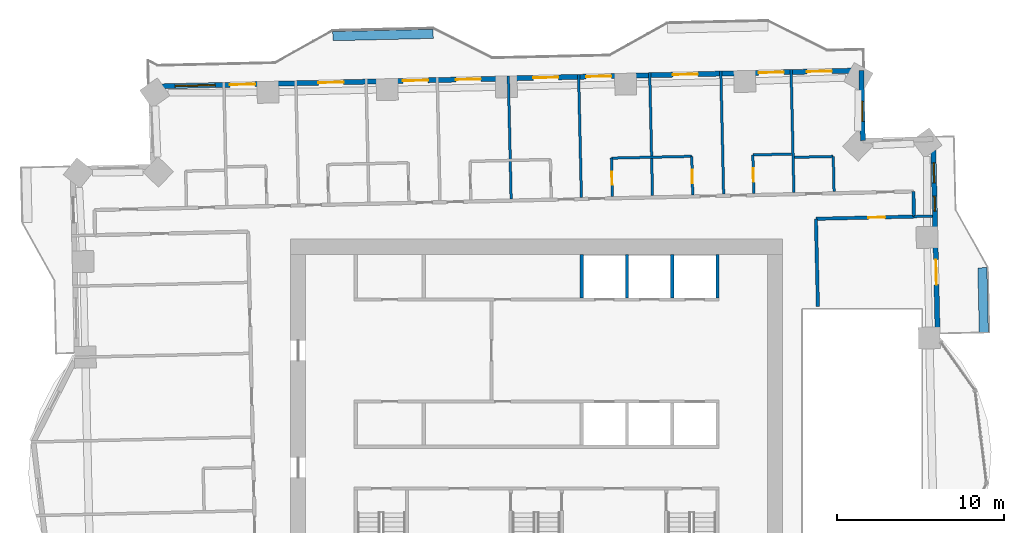
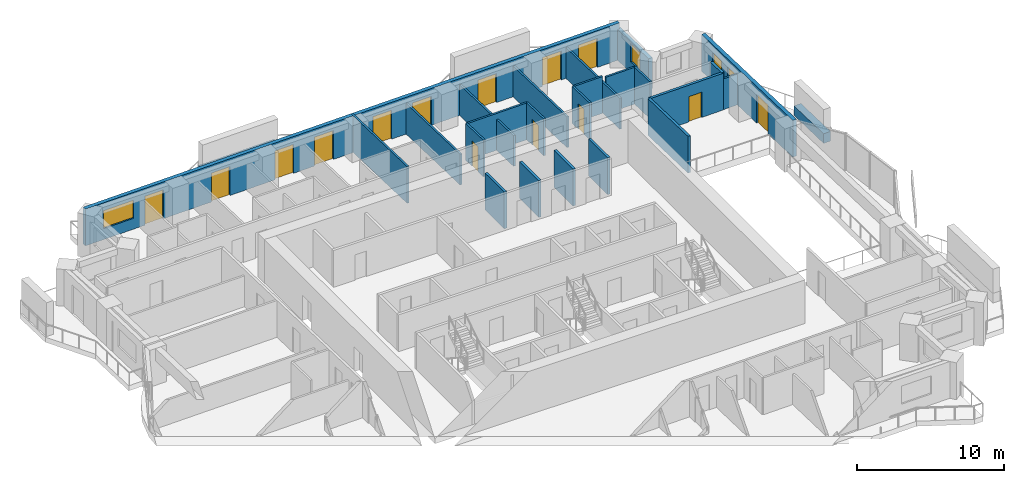
# One storey, part 11 of 16: 25 walls, 14 doors, 4 windows, 18 openings.
"""IFC4 building model written with IfcOpenShell, lengths in metres."""

from ifc_helpers import new_model, si_unit, direction, frame, frame_2d, origin, place, context, subcontext, project, spatial, rectangle, extrude, material, layer, layer_set, type_object, element, fill, save


model = new_model("IFC4")

# Units and contexts
model_context = context("Model", 3, precision=1e-05, world=origin(), true_north=direction((0.0, 1.0)))
body_context = subcontext(model_context, "Body", "Model", "MODEL_VIEW")
ifc_project = project(units=[si_unit("LENGTHUNIT", "METRE"), si_unit("AREAUNIT", "SQUARE_METRE"), si_unit("VOLUMEUNIT", "CUBIC_METRE"), si_unit("PLANEANGLEUNIT", "RADIAN"), si_unit("MASSUNIT", "GRAM", prefix="KILO")], contexts=[model_context])

# Site, building, storey
site_placement = place(None, origin())
site = spatial("IfcSite", under=ifc_project, at=site_placement, CompositionType="ELEMENT")
building_placement = place(site_placement, origin())
building = spatial("IfcBuilding", under=site, at=building_placement, Name="Mangrove Gate Tower", CompositionType="ELEMENT")
storey_placement = place(building_placement, frame((0.0, 0.0, 144.5)))
storey = spatial("IfcBuildingStorey", under=building, at=storey_placement, Name="L36", CompositionType="ELEMENT", Elevation=144.5)

# Walls
ifc_material_1 = material(Name="Concrete C70/85", Category="concrete")
ifc_layer_1 = layer(ifc_material_1, 0.199951171875)
ifc_layer_set_1 = layer_set([ifc_layer_1], Name="Core shaft wall 200 C70/85")
wall_type_1 = type_object("IfcWallType", Name="Core shaft wall 200 C70/85", PredefinedType="SHEAR", material=ifc_layer_set_1)
for number, where, z_axis, x_axis, name in (
    (1, (2.699951171875, 8.199951171875, 0.0), (0.0, 0.0, 1.0), (0.0, 1.0, 0.0), "WALL-L36-CORE-27"),
    (2, (5.39990234375, 8.199951171875, 0.0), (0.0, 0.0, 1.0), (0.0, 1.0, 0.0), "WALL-L36-CORE-28"),
    (3, (8.10009765625, 8.199951171875, 0.0), (0.0, 0.0, 1.0), (0.0, 1.0, 0.0), "WALL-L36-CORE-29"),
    (4, (10.800048828125, 8.199951171875, 0.0), (0.0, 0.0, 1.0), (0.0, 1.0, 0.0), "WALL-L36-CORE-30"),
):
    element("IfcWall", number, at=place(storey_placement, frame(where, z_axis=z_axis, x_axis=x_axis)), inside=storey, type_object=wall_type_1, Name=name, PredefinedType="SHEAR", context=body_context, shape_type="SweptSolid", body=[
        extrude(rectangle(XDim=2.60009765625, YDim=0.199951171875, at=frame_2d((1.300048828125, 0.0))), origin(), (0.0, 0.0, 1.0), 3.050048828125),
    ])
ifc_material_2 = material(Name="Gypsum board on steel stud, EI 60", Category="steel")
ifc_layer_2 = layer(ifc_material_2, 0.199951171875)
ifc_layer_set_2 = layer_set([ifc_layer_2], Name="Corridor wall EI 60")
wall_type_2 = type_object("IfcWallType", Name="Corridor wall EI 60", PredefinedType="PARTITIONING", material=ifc_layer_set_2)
wall_1_placement = place(storey_placement, frame((16.802978515625, 7.675048828125, 0.0), z_axis=(0.0, 0.0, 1.0), x_axis=(-0.022667483124, 0.999743059595, 0.0)))
element("IfcWall", 5, at=wall_1_placement, inside=storey, type_object=wall_type_2, Name="WALL-L36-047", PredefinedType="PARTITIONING", context=body_context, shape_type="SweptSolid", body=[
    extrude(rectangle(XDim=5.245361328125, YDim=0.199951171875, at=frame_2d((2.62255859375, 0.0))), origin(), (0.0, 0.0, 1.0), 3.050048828125),
])

# Wall, opening, door
wall_2_placement = place(storey_placement, frame((16.678955078125, 12.91796875, 0.0), z_axis=(0.0, 0.0, 1.0), x_axis=(0.999739057042, 0.022843332181, 0.0)))
wall_2 = element("IfcWall", 6, at=wall_2_placement, inside=storey, type_object=wall_type_2, Name="WALL-L36-052", PredefinedType="PARTITIONING", context=body_context, shape_type="SweptSolid", body=[
    extrude(rectangle(XDim=5.867431640625, YDim=0.199951171875, at=frame_2d((2.93359375, 0.0))), origin(), (0.0, 0.0, 1.0), 3.050048828125),
])
opening_1_placement = place(wall_2_placement, frame((3.134033203125, 0.0, 0.0)))
opening_1 = element("IfcOpeningElement", 7, at=opening_1_placement, cuts=wall_2, Name="Opening AD", PredefinedType="OPENING", context=body_context, shape_type="SweptSolid", body=[
    extrude(rectangle(XDim=1.0, YDim=2.10009765625, at=frame_2d((0.5, 1.050048828125))), frame((0.0, 0.10986328125, 0.0), z_axis=(0.0, -1.0, 0.0), x_axis=(1.0, 0.0, 0.0)), (0.0, 0.0, 1.0), 0.219970703125),
])
ifc_material_3 = material(Name="Timber door leaf", Category="wood")
door_type_1 = type_object("IfcDoorType", Name="Amenity door 1000", OperationType="SINGLE_SWING_LEFT", PredefinedType="DOOR", material=ifc_material_3)
door_1_placement = place(opening_1_placement, origin())
door_1 = element("IfcDoor", 8, at=door_1_placement, inside=storey, type_object=door_type_1, Name="DOOR-L36-GAM-c3b", OperationType="SINGLE_SWING_LEFT", OverallHeight=2.10009765625, OverallWidth=1.0, PredefinedType="DOOR", context=body_context, shape_type="SweptSolid", body=[
    extrude(rectangle(XDim=1.0, YDim=2.10009765625, at=frame_2d((0.5, 1.050048828125))), frame((0.0, 0.02490234375, 0.0), z_axis=(0.0, -1.0, 0.0), x_axis=(1.0, 0.0, 0.0)), (0.0, 0.0, 1.0), 0.050048828125),
])
fill(opening_1, door_1)

# Wall
wall_3_placement = place(storey_placement, frame((22.54296875, 13.052001953125, 0.0), z_axis=(0.0, 0.0, 1.0), x_axis=(-0.022632637625, 0.99974384905, 0.0)))
element("IfcWall", 9, at=wall_3_placement, inside=storey, type_object=wall_type_2, Name="WALL-L36-053", PredefinedType="PARTITIONING", context=body_context, shape_type="SweptSolid", body=[
    extrude(rectangle(XDim=1.49951171875, YDim=0.199951171875, at=frame_2d((0.749755859375, 0.0))), origin(), (0.0, 0.0, 1.0), 3.050048828125),
])

# Wall, openings, door, windows
ifc_material_4 = material(Name="Limestone", Category="masonry")
ifc_layer_3 = layer(ifc_material_4, 0.0400390625, Name="Limestone cladding")
ifc_material_5 = material(Name="Ventilated air gap")
ifc_layer_4 = layer(ifc_material_5, 0.0400390625, Name="Ventilated cavity")
ifc_material_6 = material(Name="Mineral wool insulation")
ifc_layer_5 = layer(ifc_material_6, 0.06005859375, Name="Insulation")
ifc_material_7 = material(Name="Breather membrane")
ifc_layer_6 = layer(ifc_material_7, 0.001953125, Name="Breather membrane")
ifc_material_8 = material(Name="Concrete C20/25 blockwork", Category="masonry")
ifc_layer_7 = layer(ifc_material_8, 0.14990234375, Name="Blockwork backing wall")
ifc_material_9 = material(Name="Gypsum plaster")
ifc_layer_8 = layer(ifc_material_9, 0.008056640625, Name="Internal plaster")
ifc_layer_set_3 = layer_set([ifc_layer_3, ifc_layer_4, ifc_layer_5, ifc_layer_6, ifc_layer_7, ifc_layer_8], Name="External wall 300 limestone cladding")
wall_type_3 = type_object("IfcWallType", Name="External wall 300 limestone cladding", PredefinedType="SOLIDWALL", material=ifc_layer_set_3)
wall_4_placement = place(storey_placement, frame((23.9609375, 5.751953125, 0.0), z_axis=(0.0, 0.0, 1.0), x_axis=(-0.022715362207, 0.999741972871, 0.0)))
wall_4 = element("IfcWall", 10, at=wall_4_placement, inside=storey, type_object=wall_type_3, Name="WALL-L36-E2", PredefinedType="SOLIDWALL", context=body_context, shape_type="SweptSolid", body=[
    extrude(rectangle(XDim=11.93017578125, YDim=0.300048828125, at=frame_2d((5.965087890625, 0.0))), origin(), (0.0, 0.0, 1.0), 3.050048828125),
])
opening_2_placement = place(wall_4_placement, frame((3.22802734375, 0.0, 0.0)))
opening_2 = element("IfcOpeningElement", 11, at=opening_2_placement, cuts=wall_4, Name="Opening BD1", PredefinedType="OPENING", context=body_context, shape_type="SweptSolid", body=[
    extrude(rectangle(XDim=1.5, YDim=2.39990234375, at=frame_2d((0.75, 1.199951171875))), frame((0.0, 0.159912109375, 0.0), z_axis=(0.0, -1.0, 0.0), x_axis=(1.0, 0.0, 0.0)), (0.0, 0.0, 1.0), 0.320068359375),
])
opening_3_placement = place(wall_4_placement, frame((7.62890625, 0.0, 0.89990234375)))
opening_3 = element("IfcOpeningElement", 12, at=opening_3_placement, cuts=wall_4, Name="Opening W5", PredefinedType="OPENING", context=body_context, shape_type="SweptSolid", body=[
    extrude(rectangle(XDim=0.89990234375, YDim=1.5, at=frame_2d((0.449951171875, 0.75))), frame((0.0, 0.159912109375, 0.0), z_axis=(0.0, -1.0, 0.0), x_axis=(1.0, 0.0, 0.0)), (0.0, 0.0, 1.0), 0.320068359375),
])
opening_4_placement = place(wall_4_placement, frame((9.31591796875, 0.0, 0.89990234375)))
opening_4 = element("IfcOpeningElement", 13, at=opening_4_placement, cuts=wall_4, Name="Opening W1", PredefinedType="OPENING", context=body_context, shape_type="SweptSolid", body=[
    extrude(rectangle(XDim=1.199951171875, YDim=1.5, at=frame_2d((0.60009765625, 0.75))), frame((0.0, 0.159912109375, 0.0), z_axis=(0.0, -1.0, 0.0), x_axis=(1.0, 0.0, 0.0)), (0.0, 0.0, 1.0), 0.320068359375),
])
ifc_material_10 = material(Name="Aluminium frame with laminated clear glass", Category="aluminium")
door_type_2 = type_object("IfcDoorType", Name="Balcony sliding door 1500x2400", OperationType="SLIDING_TO_LEFT", PredefinedType="DOOR", material=ifc_material_10)
door_2_placement = place(opening_2_placement, origin())
door_2 = element("IfcDoor", 14, at=door_2_placement, inside=storey, type_object=door_type_2, Name="DOOR-L36-E2-1", OperationType="SLIDING_TO_LEFT", OverallHeight=2.39990234375, OverallWidth=1.5, PredefinedType="DOOR", context=body_context, shape_type="SweptSolid", body=[
    extrude(rectangle(XDim=1.5, YDim=2.39990234375, at=frame_2d((0.75, 1.199951171875))), frame((0.0, 0.02490234375, 0.0), z_axis=(0.0, -1.0, 0.0), x_axis=(1.0, 0.0, 0.0)), (0.0, 0.0, 1.0), 0.050048828125),
])
fill(opening_2, door_2)
ifc_material_11 = material(Name="Aluminium frame with double-glazed low-e glass", Category="aluminium")
window_type_1 = type_object("IfcWindowType", Name="Narrow window 900x1500", PartitioningType="SINGLE_PANEL", PredefinedType="WINDOW", material=ifc_material_11)
window_1_placement = place(opening_3_placement, origin())
window_1 = element("IfcWindow", 15, at=window_1_placement, inside=storey, type_object=window_type_1, Name="WIN-L36-E2-2", OverallHeight=1.5, OverallWidth=0.89990234375, PartitioningType="SINGLE_PANEL", PredefinedType="WINDOW", context=body_context, shape_type="SweptSolid", body=[
    extrude(rectangle(XDim=0.89990234375, YDim=1.5, at=frame_2d((0.449951171875, 0.75))), frame((0.0, 0.030029296875, 0.0), z_axis=(0.0, -1.0, 0.0), x_axis=(1.0, 0.0, 0.0)), (0.0, 0.0, 1.0), 0.06005859375),
])
fill(opening_3, window_1)
ifc_material_12 = material(Name="Aluminium frame with double-glazed low-e glass", Category="aluminium")
window_type_2 = type_object("IfcWindowType", Name="Side lite 1200x1500", PartitioningType="SINGLE_PANEL", PredefinedType="WINDOW", material=ifc_material_12)
window_2_placement = place(opening_4_placement, origin())
window_2 = element("IfcWindow", 16, at=window_2_placement, inside=storey, type_object=window_type_2, Name="WIN-L36-E2-3", OverallHeight=1.5, OverallWidth=1.199951171875, PartitioningType="SINGLE_PANEL", PredefinedType="WINDOW", context=body_context, shape_type="SweptSolid", body=[
    extrude(rectangle(XDim=1.199951171875, YDim=1.5, at=frame_2d((0.60009765625, 0.75))), frame((0.0, 0.030029296875, 0.0), z_axis=(0.0, -1.0, 0.0), x_axis=(1.0, 0.0, 0.0)), (0.0, 0.0, 1.0), 0.06005859375),
])
fill(opening_4, window_2)

# Wall, opening, window
wall_5_placement = place(storey_placement, frame((19.490966796875, 17.5830078125, 0.0), z_axis=(0.0, 0.0, 1.0), x_axis=(-0.022611811187, 0.999744320311, 0.0)))
wall_5 = element("IfcWall", 17, at=wall_5_placement, inside=storey, type_object=wall_type_3, Name="WALL-L36-E4", PredefinedType="SOLIDWALL", context=body_context, shape_type="SweptSolid", body=[
    extrude(rectangle(XDim=4.199951171875, YDim=0.300048828125, at=frame_2d((2.10009765625, 0.0))), origin(), (0.0, 0.0, 1.0), 2.550048828125),
])
opening_5_placement = place(wall_5_placement, frame((1.155029296875, 0.0, 0.89990234375)))
opening_5 = element("IfcOpeningElement", 18, at=opening_5_placement, cuts=wall_5, Name="Opening W1", PredefinedType="OPENING", context=body_context, shape_type="SweptSolid", body=[
    extrude(rectangle(XDim=1.199951171875, YDim=1.5, at=frame_2d((0.60009765625, 0.75))), frame((0.0, 0.159912109375, 0.0), z_axis=(0.0, -1.0, 0.0), x_axis=(1.0, 0.0, 0.0)), (0.0, 0.0, 1.0), 0.320068359375),
])
window_3_placement = place(opening_5_placement, origin())
window_3 = element("IfcWindow", 19, at=window_3_placement, inside=storey, type_object=window_type_2, Name="WIN-L36-E4-1", OverallHeight=1.5, OverallWidth=1.199951171875, PartitioningType="SINGLE_PANEL", PredefinedType="WINDOW", context=body_context, shape_type="SweptSolid", body=[
    extrude(rectangle(XDim=1.199951171875, YDim=1.5, at=frame_2d((0.60009765625, 0.75))), frame((0.0, 0.030029296875, 0.0), z_axis=(0.0, -1.0, 0.0), x_axis=(1.0, 0.0, 0.0)), (0.0, 0.0, 1.0), 0.06005859375),
])
fill(opening_5, window_3)

# Wall, openings, doors, window
wall_6_placement = place(storey_placement, frame((19.39599609375, 21.781982421875, 0.0), z_axis=(0.0, 0.0, 1.0), x_axis=(-0.999742636707, -0.022686126826, 0.0)))
wall_6 = element("IfcWall", 20, at=wall_6_placement, inside=storey, type_object=wall_type_3, Name="WALL-L36-N5", PredefinedType="SOLIDWALL", context=body_context, shape_type="SweptSolid", body=[
    extrude(rectangle(XDim=42.444091796875, YDim=0.300048828125, at=frame_2d((21.22216796875, 0.0))), origin(), (0.0, 0.0, 1.0), 3.050048828125),
])
opening_6_placement = place(wall_6_placement, frame((1.757080078125, 0.0, 0.0)))
opening_6 = element("IfcOpeningElement", 21, at=opening_6_placement, cuts=wall_6, Name="Opening BD1", PredefinedType="OPENING", context=body_context, shape_type="SweptSolid", body=[
    extrude(rectangle(XDim=1.5, YDim=2.39990234375, at=frame_2d((0.75, 1.199951171875))), frame((0.0, 0.159912109375, 0.0), z_axis=(0.0, -1.0, 0.0), x_axis=(1.0, 0.0, 0.0)), (0.0, 0.0, 1.0), 0.320068359375),
])
opening_7_placement = place(wall_6_placement, frame((4.634033203125, 0.0, 0.0)))
opening_7 = element("IfcOpeningElement", 22, at=opening_7_placement, cuts=wall_6, Name="Opening BD1", PredefinedType="OPENING", context=body_context, shape_type="SweptSolid", body=[
    extrude(rectangle(XDim=1.5, YDim=2.39990234375, at=frame_2d((0.75, 1.199951171875))), frame((0.0, 0.159912109375, 0.0), z_axis=(0.0, -1.0, 0.0), x_axis=(1.0, 0.0, 0.0)), (0.0, 0.0, 1.0), 0.320068359375),
])
opening_8_placement = place(wall_6_placement, frame((9.76904296875, 0.0, 0.0)))
opening_8 = element("IfcOpeningElement", 23, at=opening_8_placement, cuts=wall_6, Name="Opening BD1", PredefinedType="OPENING", context=body_context, shape_type="SweptSolid", body=[
    extrude(rectangle(XDim=1.5, YDim=2.39990234375, at=frame_2d((0.75, 1.199951171875))), frame((0.0, 0.159912109375, 0.0), z_axis=(0.0, -1.0, 0.0), x_axis=(1.0, 0.0, 0.0)), (0.0, 0.0, 1.0), 0.320068359375),
])
opening_9_placement = place(wall_6_placement, frame((14.946044921875, 0.0, 0.0)))
opening_9 = element("IfcOpeningElement", 24, at=opening_9_placement, cuts=wall_6, Name="Opening BD1", PredefinedType="OPENING", context=body_context, shape_type="SweptSolid", body=[
    extrude(rectangle(XDim=1.5, YDim=2.39990234375, at=frame_2d((0.75, 1.199951171875))), frame((0.0, 0.159912109375, 0.0), z_axis=(0.0, -1.0, 0.0), x_axis=(1.0, 0.0, 0.0)), (0.0, 0.0, 1.0), 0.320068359375),
])
opening_10_placement = place(wall_6_placement, frame((18.10791015625, 0.0, 0.0)))
opening_10 = element("IfcOpeningElement", 25, at=opening_10_placement, cuts=wall_6, Name="Opening BD1", PredefinedType="OPENING", context=body_context, shape_type="SweptSolid", body=[
    extrude(rectangle(XDim=1.5, YDim=2.39990234375, at=frame_2d((0.75, 1.199951171875))), frame((0.0, 0.159912109375, 0.0), z_axis=(0.0, -1.0, 0.0), x_axis=(1.0, 0.0, 0.0)), (0.0, 0.0, 1.0), 0.320068359375),
])
opening_11_placement = place(wall_6_placement, frame((22.73291015625, 0.0, 0.0)))
opening_11 = element("IfcOpeningElement", 26, at=opening_11_placement, cuts=wall_6, Name="Opening BD1", PredefinedType="OPENING", context=body_context, shape_type="SweptSolid", body=[
    extrude(rectangle(XDim=1.5, YDim=2.39990234375, at=frame_2d((0.75, 1.199951171875))), frame((0.0, 0.159912109375, 0.0), z_axis=(0.0, -1.0, 0.0), x_axis=(1.0, 0.0, 0.0)), (0.0, 0.0, 1.0), 0.320068359375),
])
opening_12_placement = place(wall_6_placement, frame((25.89501953125, 0.0, 0.0)))
opening_12 = element("IfcOpeningElement", 27, at=opening_12_placement, cuts=wall_6, Name="Opening BD1", PredefinedType="OPENING", context=body_context, shape_type="SweptSolid", body=[
    extrude(rectangle(XDim=1.5, YDim=2.39990234375, at=frame_2d((0.75, 1.199951171875))), frame((0.0, 0.159912109375, 0.0), z_axis=(0.0, -1.0, 0.0), x_axis=(1.0, 0.0, 0.0)), (0.0, 0.0, 1.0), 0.320068359375),
])
opening_13_placement = place(wall_6_placement, frame((30.944091796875, 0.0, 0.0)))
opening_13 = element("IfcOpeningElement", 28, at=opening_13_placement, cuts=wall_6, Name="Opening BD1", PredefinedType="OPENING", context=body_context, shape_type="SweptSolid", body=[
    extrude(rectangle(XDim=1.5, YDim=2.39990234375, at=frame_2d((0.75, 1.199951171875))), frame((0.0, 0.159912109375, 0.0), z_axis=(0.0, -1.0, 0.0), x_axis=(1.0, 0.0, 0.0)), (0.0, 0.0, 1.0), 0.320068359375),
])
opening_14_placement = place(wall_6_placement, frame((36.23193359375, 0.0, 0.0)))
opening_14 = element("IfcOpeningElement", 29, at=opening_14_placement, cuts=wall_6, Name="Opening BD1", PredefinedType="OPENING", context=body_context, shape_type="SweptSolid", body=[
    extrude(rectangle(XDim=1.5, YDim=2.39990234375, at=frame_2d((0.75, 1.199951171875))), frame((0.0, 0.159912109375, 0.0), z_axis=(0.0, -1.0, 0.0), x_axis=(1.0, 0.0, 0.0)), (0.0, 0.0, 1.0), 0.320068359375),
])
opening_15_placement = place(wall_6_placement, frame((38.612060546875, 0.0, 0.89990234375)))
opening_15 = element("IfcOpeningElement", 30, at=opening_15_placement, cuts=wall_6, Name="Opening W2", PredefinedType="OPENING", context=body_context, shape_type="SweptSolid", body=[
    extrude(rectangle(XDim=2.39990234375, YDim=1.5, at=frame_2d((1.199951171875, 0.75))), frame((0.0, 0.159912109375, 0.0), z_axis=(0.0, -1.0, 0.0), x_axis=(1.0, 0.0, 0.0)), (0.0, 0.0, 1.0), 0.320068359375),
])
door_3_placement = place(opening_6_placement, origin())
door_3 = element("IfcDoor", 31, at=door_3_placement, inside=storey, type_object=door_type_2, Name="DOOR-L36-N5-1", OperationType="SLIDING_TO_LEFT", OverallHeight=2.39990234375, OverallWidth=1.5, PredefinedType="DOOR", context=body_context, shape_type="SweptSolid", body=[
    extrude(rectangle(XDim=1.5, YDim=2.39990234375, at=frame_2d((0.75, 1.199951171875))), frame((0.0, 0.02490234375, 0.0), z_axis=(0.0, -1.0, 0.0), x_axis=(1.0, 0.0, 0.0)), (0.0, 0.0, 1.0), 0.050048828125),
])
fill(opening_6, door_3)
door_4_placement = place(opening_7_placement, origin())
door_4 = element("IfcDoor", 32, at=door_4_placement, inside=storey, type_object=door_type_2, Name="DOOR-L36-N5-2", OperationType="SLIDING_TO_LEFT", OverallHeight=2.39990234375, OverallWidth=1.5, PredefinedType="DOOR", context=body_context, shape_type="SweptSolid", body=[
    extrude(rectangle(XDim=1.5, YDim=2.39990234375, at=frame_2d((0.75, 1.199951171875))), frame((0.0, 0.02490234375, 0.0), z_axis=(0.0, -1.0, 0.0), x_axis=(1.0, 0.0, 0.0)), (0.0, 0.0, 1.0), 0.050048828125),
])
fill(opening_7, door_4)
door_5_placement = place(opening_8_placement, origin())
door_5 = element("IfcDoor", 33, at=door_5_placement, inside=storey, type_object=door_type_2, Name="DOOR-L36-N5-3", OperationType="SLIDING_TO_LEFT", OverallHeight=2.39990234375, OverallWidth=1.5, PredefinedType="DOOR", context=body_context, shape_type="SweptSolid", body=[
    extrude(rectangle(XDim=1.5, YDim=2.39990234375, at=frame_2d((0.75, 1.199951171875))), frame((0.0, 0.02490234375, 0.0), z_axis=(0.0, -1.0, 0.0), x_axis=(1.0, 0.0, 0.0)), (0.0, 0.0, 1.0), 0.050048828125),
])
fill(opening_8, door_5)
door_6_placement = place(opening_9_placement, origin())
door_6 = element("IfcDoor", 34, at=door_6_placement, inside=storey, type_object=door_type_2, Name="DOOR-L36-N5-4", OperationType="SLIDING_TO_LEFT", OverallHeight=2.39990234375, OverallWidth=1.5, PredefinedType="DOOR", context=body_context, shape_type="SweptSolid", body=[
    extrude(rectangle(XDim=1.5, YDim=2.39990234375, at=frame_2d((0.75, 1.199951171875))), frame((0.0, 0.02490234375, 0.0), z_axis=(0.0, -1.0, 0.0), x_axis=(1.0, 0.0, 0.0)), (0.0, 0.0, 1.0), 0.050048828125),
])
fill(opening_9, door_6)
door_7_placement = place(opening_10_placement, origin())
door_7 = element("IfcDoor", 35, at=door_7_placement, inside=storey, type_object=door_type_2, Name="DOOR-L36-N5-5", OperationType="SLIDING_TO_LEFT", OverallHeight=2.39990234375, OverallWidth=1.5, PredefinedType="DOOR", context=body_context, shape_type="SweptSolid", body=[
    extrude(rectangle(XDim=1.5, YDim=2.39990234375, at=frame_2d((0.75, 1.199951171875))), frame((0.0, 0.02490234375, 0.0), z_axis=(0.0, -1.0, 0.0), x_axis=(1.0, 0.0, 0.0)), (0.0, 0.0, 1.0), 0.050048828125),
])
fill(opening_10, door_7)
door_8_placement = place(opening_11_placement, origin())
door_8 = element("IfcDoor", 36, at=door_8_placement, inside=storey, type_object=door_type_2, Name="DOOR-L36-N5-6", OperationType="SLIDING_TO_LEFT", OverallHeight=2.39990234375, OverallWidth=1.5, PredefinedType="DOOR", context=body_context, shape_type="SweptSolid", body=[
    extrude(rectangle(XDim=1.5, YDim=2.39990234375, at=frame_2d((0.75, 1.199951171875))), frame((0.0, 0.02490234375, 0.0), z_axis=(0.0, -1.0, 0.0), x_axis=(1.0, 0.0, 0.0)), (0.0, 0.0, 1.0), 0.050048828125),
])
fill(opening_11, door_8)
door_9_placement = place(opening_12_placement, origin())
door_9 = element("IfcDoor", 37, at=door_9_placement, inside=storey, type_object=door_type_2, Name="DOOR-L36-N5-7", OperationType="SLIDING_TO_LEFT", OverallHeight=2.39990234375, OverallWidth=1.5, PredefinedType="DOOR", context=body_context, shape_type="SweptSolid", body=[
    extrude(rectangle(XDim=1.5, YDim=2.39990234375, at=frame_2d((0.75, 1.199951171875))), frame((0.0, 0.02490234375, 0.0), z_axis=(0.0, -1.0, 0.0), x_axis=(1.0, 0.0, 0.0)), (0.0, 0.0, 1.0), 0.050048828125),
])
fill(opening_12, door_9)
door_10_placement = place(opening_13_placement, origin())
door_10 = element("IfcDoor", 38, at=door_10_placement, inside=storey, type_object=door_type_2, Name="DOOR-L36-N5-8", OperationType="SLIDING_TO_LEFT", OverallHeight=2.39990234375, OverallWidth=1.5, PredefinedType="DOOR", context=body_context, shape_type="SweptSolid", body=[
    extrude(rectangle(XDim=1.5, YDim=2.39990234375, at=frame_2d((0.75, 1.199951171875))), frame((0.0, 0.02490234375, 0.0), z_axis=(0.0, -1.0, 0.0), x_axis=(1.0, 0.0, 0.0)), (0.0, 0.0, 1.0), 0.050048828125),
])
fill(opening_13, door_10)
door_11_placement = place(opening_14_placement, origin())
door_11 = element("IfcDoor", 39, at=door_11_placement, inside=storey, type_object=door_type_2, Name="DOOR-L36-N5-9", OperationType="SLIDING_TO_LEFT", OverallHeight=2.39990234375, OverallWidth=1.5, PredefinedType="DOOR", context=body_context, shape_type="SweptSolid", body=[
    extrude(rectangle(XDim=1.5, YDim=2.39990234375, at=frame_2d((0.75, 1.199951171875))), frame((0.0, 0.02490234375, 0.0), z_axis=(0.0, -1.0, 0.0), x_axis=(1.0, 0.0, 0.0)), (0.0, 0.0, 1.0), 0.050048828125),
])
fill(opening_14, door_11)
ifc_material_13 = material(Name="Aluminium frame with double-glazed low-e glass", Category="aluminium")
window_type_3 = type_object("IfcWindowType", Name="Corner room window 2400x1500", PartitioningType="DOUBLE_PANEL_VERTICAL", PredefinedType="WINDOW", material=ifc_material_13)
window_4_placement = place(opening_15_placement, origin())
window_4 = element("IfcWindow", 40, at=window_4_placement, inside=storey, type_object=window_type_3, Name="WIN-L36-N5-10", OverallHeight=1.5, OverallWidth=2.39990234375, PartitioningType="DOUBLE_PANEL_VERTICAL", PredefinedType="WINDOW", context=body_context, shape_type="SweptSolid", body=[
    extrude(rectangle(XDim=2.39990234375, YDim=1.5, at=frame_2d((1.199951171875, 0.75))), frame((0.0, 0.030029296875, 0.0), z_axis=(0.0, -1.0, 0.0), x_axis=(1.0, 0.0, 0.0)), (0.0, 0.0, 1.0), 0.06005859375),
])
fill(opening_15, window_4)

# Walls
ifc_material_14 = material(Name="Gypsum board on steel stud, EI 60", Category="steel")
ifc_layer_9 = layer(ifc_material_14, 0.14990234375)
ifc_layer_set_4 = layer_set([ifc_layer_9], Name="Party wall 150 EI 60")
wall_type_4 = type_object("IfcWallType", Name="Party wall 150 EI 60", PredefinedType="PARTITIONING", material=ifc_layer_set_4)
wall_7_placement = place(storey_placement, frame((22.544921875, 13.052001953125, 0.0), z_axis=(0.0, 0.0, 1.0), x_axis=(0.999743438074, 0.022650784248, 0.0)))
element("IfcWall", 41, at=wall_7_placement, inside=storey, type_object=wall_type_4, Name="WALL-L36-054", PredefinedType="PARTITIONING", context=body_context, shape_type="SweptSolid", body=[
    extrude(rectangle(XDim=1.099365234375, YDim=0.14990234375, at=frame_2d((0.5498046875, 0.0))), origin(), (0.0, 0.0, 1.0), 2.550048828125),
])
wall_8_placement = place(storey_placement, frame((-1.527099609375, 14.10595703125, 0.0), z_axis=(0.0, 0.0, 1.0), x_axis=(-0.022719896304, 0.99974186984, 0.0)))
element("IfcWall", 42, at=wall_8_placement, inside=storey, type_object=wall_type_4, Name="WALL-L36-065", PredefinedType="PARTITIONING", context=body_context, shape_type="SweptSolid", body=[
    extrude(rectangle(XDim=7.35009765625, YDim=0.14990234375, at=frame_2d((3.675048828125, 0.0))), origin(), (0.0, 0.0, 1.0), 3.050048828125),
])
wall_9_placement = place(storey_placement, frame((2.6708984375, 14.200927734375, 0.0), z_axis=(0.0, 0.0, 1.0), x_axis=(-0.022587099398, 0.999744878927, 0.0)))
element("IfcWall", 43, at=wall_9_placement, inside=storey, type_object=wall_type_4, Name="WALL-L36-067", PredefinedType="PARTITIONING", context=body_context, shape_type="SweptSolid", body=[
    extrude(rectangle(XDim=7.35009765625, YDim=0.14990234375, at=frame_2d((3.675048828125, 0.0))), origin(), (0.0, 0.0, 1.0), 2.550048828125),
])

# Wall, opening, door
wall_10_placement = place(storey_placement, frame((4.52099609375, 14.242919921875, 0.0), z_axis=(0.0, 0.0, 1.0), x_axis=(-0.022612884682, 0.999744296031, 0.0)))
wall_10 = element("IfcWall", 44, at=wall_10_placement, inside=storey, type_object=wall_type_4, Name="WALL-L36-068", PredefinedType="PARTITIONING", context=body_context, shape_type="SweptSolid", body=[
    extrude(rectangle(XDim=2.299560546875, YDim=0.14990234375, at=frame_2d((1.14990234375, 0.0))), origin(), (0.0, 0.0, 1.0), 3.050048828125),
])
opening_16_placement = place(wall_10_placement, frame((0.699951171875, 0.0, 0.0)))
opening_16 = element("IfcOpeningElement", 45, at=opening_16_placement, cuts=wall_10, Name="Opening ED", PredefinedType="OPENING", context=body_context, shape_type="SweptSolid", body=[
    extrude(rectangle(XDim=0.800048828125, YDim=2.10009765625, at=frame_2d((0.39990234375, 1.050048828125))), frame((0.0, 0.0849609375, 0.0), z_axis=(0.0, -1.0, 0.0), x_axis=(1.0, 0.0, 0.0)), (0.0, 0.0, 1.0), 0.169921875),
])
ifc_material_15 = material(Name="Timber door leaf", Category="wood")
door_type_3 = type_object("IfcDoorType", Name="En-suite door 800", OperationType="SINGLE_SWING_LEFT", PredefinedType="DOOR", material=ifc_material_15)
door_12_placement = place(opening_16_placement, origin())
door_12 = element("IfcDoor", 46, at=door_12_placement, inside=storey, type_object=door_type_3, Name="DOOR-L36-ENS-c410", OperationType="SINGLE_SWING_RIGHT", OverallHeight=2.10009765625, OverallWidth=0.800048828125, PredefinedType="DOOR", context=body_context, shape_type="SweptSolid", body=[
    extrude(rectangle(XDim=0.800048828125, YDim=2.10009765625, at=frame_2d((0.39990234375, 1.050048828125))), frame((0.0, 0.02490234375, 0.0), z_axis=(0.0, -1.0, 0.0), x_axis=(1.0, 0.0, 0.0)), (0.0, 0.0, 1.0), 0.050048828125),
])
fill(opening_16, door_12)

# Wall
wall_11_placement = place(storey_placement, frame((6.919921875, 14.297119140625, 0.0), z_axis=(0.0, 0.0, 1.0), x_axis=(-0.022584849415, 0.999744929758, 0.0)))
element("IfcWall", 47, at=wall_11_placement, inside=storey, type_object=wall_type_4, Name="WALL-L36-069", PredefinedType="PARTITIONING", context=body_context, shape_type="SweptSolid", body=[
    extrude(rectangle(XDim=7.350830078125, YDim=0.14990234375, at=frame_2d((3.67529296875, 0.0))), origin(), (0.0, 0.0, 1.0), 2.550048828125),
])

# Wall, opening, door
wall_12_placement = place(storey_placement, frame((9.320068359375, 14.35205078125, 0.0), z_axis=(0.0, 0.0, 1.0), x_axis=(-0.022615284993, 0.999744241736, 0.0)))
wall_12 = element("IfcWall", 48, at=wall_12_placement, inside=storey, type_object=wall_type_4, Name="WALL-L36-070", PredefinedType="PARTITIONING", context=body_context, shape_type="SweptSolid", body=[
    extrude(rectangle(XDim=2.29931640625, YDim=0.14990234375, at=frame_2d((1.149658203125, 0.0))), origin(), (0.0, 0.0, 1.0), 3.050048828125),
])
opening_17_placement = place(wall_12_placement, frame((0.699951171875, 0.0, 0.0)))
opening_17 = element("IfcOpeningElement", 49, at=opening_17_placement, cuts=wall_12, Name="Opening ED", PredefinedType="OPENING", context=body_context, shape_type="SweptSolid", body=[
    extrude(rectangle(XDim=0.800048828125, YDim=2.10009765625, at=frame_2d((0.39990234375, 1.050048828125))), frame((0.0, 0.0849609375, 0.0), z_axis=(0.0, -1.0, 0.0), x_axis=(1.0, 0.0, 0.0)), (0.0, 0.0, 1.0), 0.169921875),
])
door_13_placement = place(opening_17_placement, origin())
door_13 = element("IfcDoor", 50, at=door_13_placement, inside=storey, type_object=door_type_3, Name="DOOR-L36-ENS-c309", OperationType="SINGLE_SWING_LEFT", OverallHeight=2.10009765625, OverallWidth=0.800048828125, PredefinedType="DOOR", context=body_context, shape_type="SweptSolid", body=[
    extrude(rectangle(XDim=0.800048828125, YDim=2.10009765625, at=frame_2d((0.39990234375, 1.050048828125))), frame((0.0, 0.02490234375, 0.0), z_axis=(0.0, -1.0, 0.0), x_axis=(1.0, 0.0, 0.0)), (0.0, 0.0, 1.0), 0.050048828125),
])
fill(opening_17, door_13)

# Wall
wall_13_placement = place(storey_placement, frame((11.1689453125, 14.39404296875, 0.0), z_axis=(0.0, 0.0, 1.0), x_axis=(-0.022587849492, 0.99974486198, 0.0)))
element("IfcWall", 51, at=wall_13_placement, inside=storey, type_object=wall_type_4, Name="WALL-L36-071", PredefinedType="PARTITIONING", context=body_context, shape_type="SweptSolid", body=[
    extrude(rectangle(XDim=7.349853515625, YDim=0.14990234375, at=frame_2d((3.6748046875, 0.0))), origin(), (0.0, 0.0, 1.0), 2.550048828125),
])

# Wall, opening, door
wall_14_placement = place(storey_placement, frame((12.968994140625, 14.43505859375, 0.0), z_axis=(0.0, 0.0, 1.0), x_axis=(-0.022615284993, 0.999744241736, 0.0)))
wall_14 = element("IfcWall", 52, at=wall_14_placement, inside=storey, type_object=wall_type_4, Name="WALL-L36-072", PredefinedType="PARTITIONING", context=body_context, shape_type="SweptSolid", body=[
    extrude(rectangle(XDim=2.29931640625, YDim=0.14990234375, at=frame_2d((1.149658203125, 0.0))), origin(), (0.0, 0.0, 1.0), 3.050048828125),
])
opening_18_placement = place(wall_14_placement, frame((0.699951171875, 0.0, 0.0)))
opening_18 = element("IfcOpeningElement", 53, at=opening_18_placement, cuts=wall_14, Name="Opening ED", PredefinedType="OPENING", context=body_context, shape_type="SweptSolid", body=[
    extrude(rectangle(XDim=0.800048828125, YDim=2.10009765625, at=frame_2d((0.39990234375, 1.050048828125))), frame((0.0, 0.0849609375, 0.0), z_axis=(0.0, -1.0, 0.0), x_axis=(1.0, 0.0, 0.0)), (0.0, 0.0, 1.0), 0.169921875),
])
door_14_placement = place(opening_18_placement, origin())
door_14 = element("IfcDoor", 54, at=door_14_placement, inside=storey, type_object=door_type_3, Name="DOOR-L36-ENS-c308", OperationType="SINGLE_SWING_RIGHT", OverallHeight=2.10009765625, OverallWidth=0.800048828125, PredefinedType="DOOR", context=body_context, shape_type="SweptSolid", body=[
    extrude(rectangle(XDim=0.800048828125, YDim=2.10009765625, at=frame_2d((0.39990234375, 1.050048828125))), frame((0.0, 0.02490234375, 0.0), z_axis=(0.0, -1.0, 0.0), x_axis=(1.0, 0.0, 0.0)), (0.0, 0.0, 1.0), 0.050048828125),
])
fill(opening_18, door_14)

# Walls
wall_15_placement = place(storey_placement, frame((15.367919921875, 14.489013671875, 0.0), z_axis=(0.0, 0.0, 1.0), x_axis=(-0.022720650804, 0.999741852694, 0.0)))
element("IfcWall", 55, at=wall_15_placement, inside=storey, type_object=wall_type_4, Name="WALL-L36-073", PredefinedType="PARTITIONING", context=body_context, shape_type="SweptSolid", body=[
    extrude(rectangle(XDim=7.349853515625, YDim=0.14990234375, at=frame_2d((3.6748046875, 0.0))), origin(), (0.0, 0.0, 1.0), 2.550048828125),
])
wall_16_placement = place(storey_placement, frame((17.76806640625, 14.5439453125, 0.0), z_axis=(0.0, 0.0, 1.0), x_axis=(-0.022906293375, 0.999737616439, 0.0)))
element("IfcWall", 56, at=wall_16_placement, inside=storey, type_object=wall_type_4, Name="WALL-L36-074", PredefinedType="PARTITIONING", context=body_context, shape_type="SweptSolid", body=[
    extrude(rectangle(XDim=2.099609375, YDim=0.14990234375, at=frame_2d((1.0498046875, 0.0))), origin(), (0.0, 0.0, 1.0), 3.050048828125),
])
wall_17_placement = place(storey_placement, frame((15.39404296875, 16.590087890625, 0.0), z_axis=(0.0, 0.0, 1.0), x_axis=(0.999740260747, 0.02279059109, 0.0)))
element("IfcWall", 57, at=wall_17_placement, inside=storey, type_object=wall_type_4, Name="WALL-L36-076", PredefinedType="PARTITIONING", context=body_context, shape_type="SweptSolid", body=[
    extrude(rectangle(XDim=2.324462890625, YDim=0.14990234375, at=frame_2d((1.162109375, 0.0))), origin(), (0.0, 0.0, 1.0), 3.050048828125),
])
wall_18_placement = place(storey_placement, frame((4.467041015625, 16.5419921875, 0.0), z_axis=(0.0, 0.0, 1.0), x_axis=(0.999742701292, 0.022683280499, 0.0)))
element("IfcWall", 58, at=wall_18_placement, inside=storey, type_object=wall_type_4, Name="WALL-L36-080", PredefinedType="PARTITIONING", context=body_context, shape_type="SweptSolid", body=[
    extrude(rectangle(XDim=4.80029296875, YDim=0.14990234375, at=frame_2d((2.400146484375, 0.0))), origin(), (0.0, 0.0, 1.0), 3.050048828125),
])
wall_19_placement = place(storey_placement, frame((12.9150390625, 16.73388671875, 0.0), z_axis=(0.0, 0.0, 1.0), x_axis=(0.999737862264, 0.022895561926, 0.0)))
element("IfcWall", 59, at=wall_19_placement, inside=storey, type_object=wall_type_4, Name="WALL-L36-081", PredefinedType="PARTITIONING", context=body_context, shape_type="SweptSolid", body=[
    extrude(rectangle(XDim=2.324462890625, YDim=0.14990234375, at=frame_2d((1.162109375, 0.0))), origin(), (0.0, 0.0, 1.0), 3.050048828125),
])
ifc_material_16 = material(Name="Concrete C32/40", Category="concrete")
ifc_layer_10 = layer(ifc_material_16, 0.199951171875, Name="Planter trough wall")
ifc_material_17 = material(Name="Bituminous waterproofing membrane")
ifc_layer_11 = layer(ifc_material_17, 0.0048828125, Name="Waterproofing")
ifc_material_18 = material(Name="Drainage board and gravel")
ifc_layer_12 = layer(ifc_material_18, 0.044921875, Name="Drainage layer")
ifc_material_19 = material(Name="Planting soil")
ifc_layer_13 = layer(ifc_material_19, 0.300048828125, Name="Growing medium")
ifc_layer_set_5 = layer_set([ifc_layer_10, ifc_layer_11, ifc_layer_12, ifc_layer_13], Name="Planter wall 550 C32/40")
wall_type_5 = type_object("IfcWallType", Name="Planter wall 550 C32/40", PredefinedType="USERDEFINED", material=ifc_layer_set_5)
wall_20_placement = place(storey_placement, frame((26.718017578125, 6.1201171875, 0.0), z_axis=(0.0, 0.0, 1.0), x_axis=(-0.022745736617, 0.999741282265, 0.0)))
element("IfcWall", 60, at=wall_20_placement, inside=storey, type_object=wall_type_5, Name="PLANTER L36 E1.1", ObjectType="PLANTER", PredefinedType="USERDEFINED", context=body_context, shape_type="SweptSolid", body=[
    extrude(rectangle(XDim=3.874755859375, YDim=0.550048828125, at=frame_2d((1.9375, 0.0))), origin(), (0.0, 0.0, 1.0), 0.800048828125),
])
wall_21_placement = place(storey_placement, frame((-12.180908203125, 23.8310546875, 0.0), z_axis=(0.0, 0.0, 1.0), x_axis=(0.999739371644, 0.02282955947, 0.0)))
element("IfcWall", 61, at=wall_21_placement, inside=storey, type_object=wall_type_5, Name="PLANTER L36 N1.1", ObjectType="PLANTER", PredefinedType="USERDEFINED", context=body_context, shape_type="SweptSolid", body=[
    extrude(rectangle(XDim=5.999267578125, YDim=0.550048828125, at=frame_2d((2.99951171875, 0.0))), origin(), (0.0, 0.0, 1.0), 0.800048828125),
])

save(model, "model.ifc")
